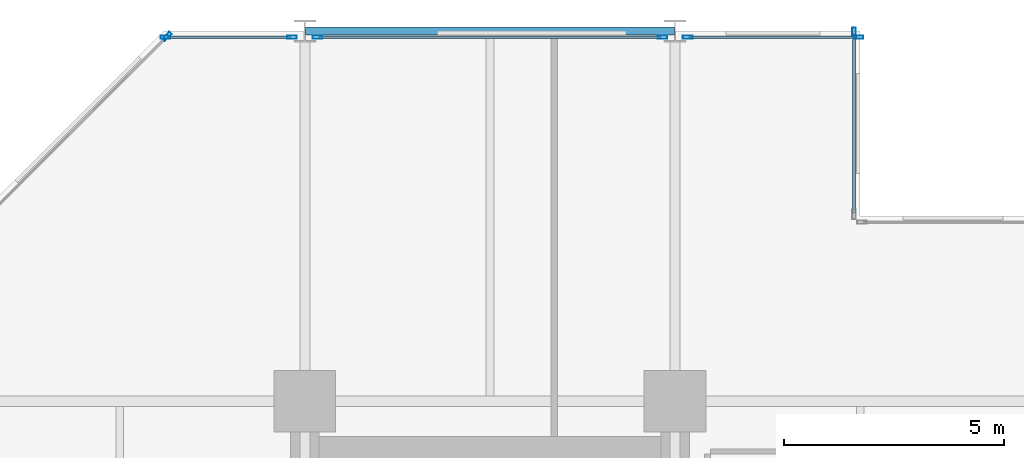
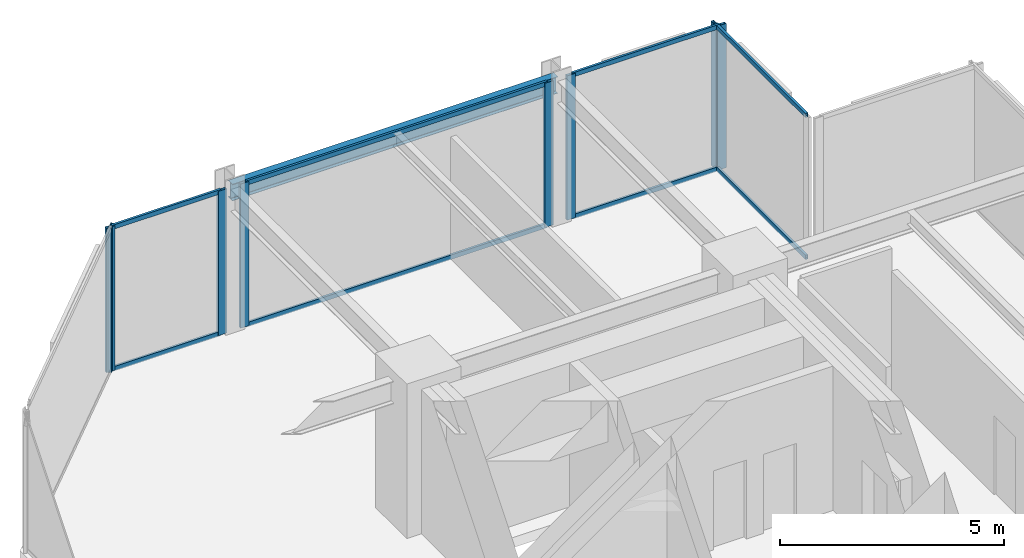
# One storey, part 17 of 24: 16 members, 1 beam, 5 elements without a shape of their own.
"""IFC4 building model written with IfcOpenShell, lengths in metres."""

import ifcopenshell
import ifcopenshell.guid

model = None  # the IFC model being written
_history = None  # IfcOwnerHistory: only IFC2X3 demands one
_inside = {}  # id of a spatial element -> (the spatial element, [elements in it])
_under = {}  # id of a project, library or spatial element -> (it, [spatial elements below it])
_declared = {}  # id of a project -> (the project, [libraries it declares])
_typed = {}  # id of a type object -> (the type object, [elements of that type])
_made_of = {}  # id of a material, layer set ... -> (it, [elements and type objects made of it])


def new_model(schema):
    """Start an empty IFC model of exactly this schema.

    Asked for "IFC4X3", IfcOpenShell would pick the latest addendum, in which some entities
    have other attributes; the version numbers below select the first issue.
    IFC2X3 requires an IfcOwnerHistory on every rooted entity: one is made here for all.
    """
    global model, _history
    if schema == "IFC4X3":
        model = ifcopenshell.file(schema_version=(4, 3, 0, 0))
    else:
        model = ifcopenshell.file(schema=schema)
    _inside.clear()
    _under.clear()
    _declared.clear()
    _typed.clear()
    _made_of.clear()
    _history = None
    if model.schema == "IFC2X3":
        org = make("IfcOrganization", Name="unknown")
        user = make(
            "IfcPersonAndOrganization",
            ThePerson=make("IfcPerson", FamilyName="unknown"),
            TheOrganization=org,
        )
        app = make(
            "IfcApplication",
            ApplicationDeveloper=org,
            Version="unknown",
            ApplicationFullName="unknown",
            ApplicationIdentifier="unknown",
        )
        _history = make(
            "IfcOwnerHistory",
            OwningUser=user,
            OwningApplication=app,
            ChangeAction="ADDED",
            CreationDate=0,
        )
    return model


def make(cls, **values):
    """One entity of the class cls with the attributes given. An attribute that is None is left unset."""
    return model.create_entity(
        cls, **{name: value for name, value in values.items() if value is not None}
    )


def rooted(cls, **values):
    """An entity with a GlobalId (a new one), such as an element, a storey or a relation."""
    return make(cls, GlobalId=ifcopenshell.guid.new(), OwnerHistory=_history, **values)


def si_unit(unit_type, name, prefix=None):
    """IfcSIUnit, for example si_unit("LENGTHUNIT", "METRE", prefix="MILLI")."""
    return make("IfcSIUnit", UnitType=unit_type, Prefix=prefix, Name=name)


def assignment(units):
    """IfcUnitAssignment: the units of a project."""
    return None if units is None else make("IfcUnitAssignment", Units=units)


def point(xyz):
    """IfcCartesianPoint."""
    return None if xyz is None else make("IfcCartesianPoint", Coordinates=xyz)


def direction(xyz):
    """IfcDirection."""
    return None if xyz is None else make("IfcDirection", DirectionRatios=xyz)


def frame(location, z_axis=None, x_axis=None):
    """IfcAxis2Placement3D, a coordinate frame: its origin and axes. An axis left out is left unset."""
    return make(
        "IfcAxis2Placement3D",
        Location=point(location),
        Axis=direction(z_axis),
        RefDirection=direction(x_axis),
    )


def frame_2d(location, x_axis=None):
    """IfcAxis2Placement2D, a coordinate frame in the plane: its origin and x axis."""
    return make(
        "IfcAxis2Placement2D", Location=point(location), RefDirection=direction(x_axis)
    )


def origin():
    """The frame at (0, 0, 0) with its axes left unset."""
    return frame((0.0, 0.0, 0.0))


def origin_2d():
    """The frame at (0, 0) in the plane with its x axis left unset."""
    return frame_2d((0.0, 0.0))


def place(relative_to, where):
    """IfcLocalPlacement: puts the frame where relative to a parent placement (None: the world)."""
    return make(
        "IfcLocalPlacement", PlacementRelTo=relative_to, RelativePlacement=where
    )


def context(
    kind, dimensions, precision=None, world=None, true_north=None, identifier=None
):
    """IfcGeometricRepresentationContext, for example the 3D "Model" context."""
    return make(
        "IfcGeometricRepresentationContext",
        ContextIdentifier=identifier,
        ContextType=kind,
        CoordinateSpaceDimension=dimensions,
        Precision=precision,
        WorldCoordinateSystem=world,
        TrueNorth=true_north,
    )


def subcontext(parent, identifier, kind, view, scale=None):
    """IfcGeometricRepresentationSubContext, for example "Body" below "Model"."""
    return make(
        "IfcGeometricRepresentationSubContext",
        ContextIdentifier=identifier,
        ContextType=kind,
        ParentContext=parent,
        TargetScale=scale,
        TargetView=view,
    )


def project(units=None, contexts=None):
    """IfcProject with its units and contexts."""
    return rooted(
        "IfcProject",
        Name="project",
        RepresentationContexts=contexts,
        UnitsInContext=assignment(units),
    )


def spatial(cls, under=None, at=None, **own):
    """A site, building, storey or space (cls), placed at a placement, below another one or the project."""
    s = rooted(cls, ObjectPlacement=at, **own)
    if under is not None:
        _under.setdefault(under.id(), (under, []))[1].append(s)
    return s


def profile(cls, at=None, kind="AREA", **sizes):
    """A parametric profile (cls). Its sizes go by their IFC names, for example OverallWidth=200.0."""
    return make(cls, ProfileType=kind, Position=at, **sizes)


def hollow_rectangle(**sizes):
    """IfcRectangleHollowProfileDef."""
    return profile("IfcRectangleHollowProfileDef", **sizes)


def i_section(**sizes):
    """IfcIShapeProfileDef."""
    return profile("IfcIShapeProfileDef", **sizes)


def extrude(swept, where, along, depth):
    """IfcExtrudedAreaSolid: the profile swept, set in the frame where, extruded along a direction by depth."""
    return make(
        "IfcExtrudedAreaSolid",
        SweptArea=swept,
        Position=where,
        ExtrudedDirection=direction(along),
        Depth=depth,
    )


def shape(context_of_items, identifier, shape_type, items):
    """IfcShapeRepresentation: the items that make up one representation, for example the "Body"."""
    return make(
        "IfcShapeRepresentation",
        ContextOfItems=context_of_items,
        RepresentationIdentifier=identifier,
        RepresentationType=shape_type,
        Items=items,
    )


def material(Name=None, Category=None):
    """IfcMaterial."""
    return make("IfcMaterial", Name=Name, Category=Category)


def layer(
    of_material, thickness, ventilated=None, Name=None, Category=None, Priority=None
):
    """IfcMaterialLayer: one layer of a wall or slab, of a material (None: an air gap)."""
    return make(
        "IfcMaterialLayer",
        Material=of_material,
        LayerThickness=thickness,
        IsVentilated=ventilated,
        Name=Name,
        Category=Category,
        Priority=Priority,
    )


def layer_set(layers, Name=None):
    """IfcMaterialLayerSet."""
    return make("IfcMaterialLayerSet", MaterialLayers=layers, LayerSetName=Name)


def material_profile(
    of_material, cross_section, Name=None, Category=None, Priority=None
):
    """IfcMaterialProfile: a cross section and its material."""
    return make(
        "IfcMaterialProfile",
        Name=Name,
        Material=of_material,
        Profile=cross_section,
        Priority=Priority,
        Category=Category,
    )


def profile_set(profiles, Name=None, composite=None):
    """IfcMaterialProfileSet."""
    return make(
        "IfcMaterialProfileSet",
        Name=Name,
        MaterialProfiles=profiles,
        CompositeProfile=composite,
    )


def made_of(thing, what):
    """Note that an element or type object is made of a material, layer set ...; save() writes the relation."""
    if what is not None:
        _made_of.setdefault(what.id(), (what, []))[1].append(thing)
    return thing


def type_object(cls, material=None, **own):
    """A type object (cls), such as IfcWallType, which elements share."""
    return made_of(rooted(cls, **own), material)


def element(
    cls,
    number,
    at=None,
    inside=None,
    cuts=None,
    type_object=None,
    material=None,
    context=None,
    identifier="Body",
    shape_type=None,
    held_by="IfcProductDefinitionShape",
    body=None,
    shapes=None,
    **own,
):
    """One element of the class cls, such as IfcWall. Its Tag is "e" and its number.

    at: its placement. inside: the storey or other place that contains it. cuts: it is an
    opening in that element (IfcRelVoidsElement). A single representation is given by context,
    identifier, shape_type and body (its items); several are given by shapes. held_by: the class
    of the entity that holds the representations. save() writes the other relations.
    """
    e = rooted(cls, Tag="e%d" % number, ObjectPlacement=at, **own)
    if body is not None:
        shapes = [shape(context, identifier, shape_type, body)]
    if shapes is not None:
        e.Representation = make(held_by, Representations=shapes)
    if inside is not None:
        _inside.setdefault(inside.id(), (inside, []))[1].append(e)
    if cuts is not None:
        rooted(
            "IfcRelVoidsElement", RelatingBuildingElement=cuts, RelatedOpeningElement=e
        )
    if type_object is not None:
        _typed.setdefault(type_object.id(), (type_object, []))[1].append(e)
    return made_of(e, material)


def aggregate(whole, parts):
    """IfcRelAggregates: a whole, such as a stair, and the parts it consists of."""
    return rooted("IfcRelAggregates", RelatingObject=whole, RelatedObjects=parts)


def save(model, path):
    """Write the relations noted so far, then the file.

    IfcRelAggregates (storeys below a building ...), IfcRelContainedInSpatialStructure (elements
    in a storey), IfcRelDefinesByType, IfcRelAssociatesMaterial and IfcRelDeclares: one each for
    every whole, place, type object, material and project.
    """
    for whole, parts in _under.values():
        aggregate(whole, parts)
    for where, things in _inside.values():
        rooted(
            "IfcRelContainedInSpatialStructure",
            RelatedElements=things,
            RelatingStructure=where,
        )
    for kind, things in _typed.values():
        rooted("IfcRelDefinesByType", RelatedObjects=things, RelatingType=kind)
    for what, things in _made_of.values():
        rooted("IfcRelAssociatesMaterial", RelatedObjects=things, RelatingMaterial=what)
    for by, libraries in _declared.values():
        rooted("IfcRelDeclares", RelatingContext=by, RelatedDefinitions=libraries)
    model.write(path)


model = new_model("IFC4")

# Units and contexts
model_context = context("Model", 3, precision=1e-05, world=origin(), true_north=direction((0.0, 1.0)))
body_context = subcontext(model_context, "Body", "Model", "MODEL_VIEW")
ifc_project = project(units=[si_unit("LENGTHUNIT", "METRE"), si_unit("AREAUNIT", "SQUARE_METRE"), si_unit("VOLUMEUNIT", "CUBIC_METRE"), si_unit("PLANEANGLEUNIT", "RADIAN"), si_unit("MASSUNIT", "GRAM", prefix="KILO")], contexts=[model_context])

# Site, building, storey
site_placement = place(None, origin())
site = spatial("IfcSite", under=ifc_project, at=site_placement, CompositionType="ELEMENT")
building_placement = place(site_placement, origin())
building = spatial("IfcBuilding", under=site, at=building_placement, Name="Nerrivon Quay Data Exchange", CompositionType="ELEMENT")
storey_placement = place(building_placement, frame((0.0, 0.0, 50.0)))
storey = spatial("IfcBuildingStorey", under=building, at=storey_placement, Name="L11", CompositionType="ELEMENT", Elevation=50.0)

# Beam
ifc_material_1 = material(Name="Steel Grade 350", Category="steel")
ifc_material_profile_1 = material_profile(ifc_material_1, i_section(OverallWidth=0.18994140625, OverallDepth=0.4541015625, WebThickness=0.008544921875, FlangeThickness=0.0126953125, FilletRadius=0.011474609375, at=origin_2d()), Name="460UB67.1")
ifc_profile_set_1 = profile_set([ifc_material_profile_1], Name="Steel Grade 350")
beam_type = type_object("IfcBeamType", Name="BM-SP1-460UB67", PredefinedType="SPANDREL", material=ifc_profile_set_1)
beam_placement = place(storey_placement, frame((8.4140625, 50.39990234375, 3.697998046875), z_axis=(1.0, 0.0, 0.0), x_axis=(0.0, 1.0, 0.0)))
element("IfcBeam", 1, at=beam_placement, inside=storey, type_object=beam_type, Name="L11 EW Girder Y=50.4 (8.4..16.8)", PredefinedType="SPANDREL", context=body_context, shape_type="SweptSolid", body=[
    extrude(i_section(OverallWidth=0.18994140625, OverallDepth=0.4541015625, WebThickness=0.008544921875, FlangeThickness=0.0126953125, FilletRadius=0.011474609375, at=origin_2d()), origin(), (0.0, 0.0, 1.0), 8.371826171875),
])

# Curtain wall, member
ifc_material_2 = material(Name="Anodised aluminium 6063-T6", Category="aluminium")
ifc_layer = layer(ifc_material_2, 0.219970703125)
ifc_layer_set = layer_set([ifc_layer], Name="Anodised aluminium 6063-T6")
curtain_wall_type = type_object("IfcCurtainWallType", Name="CW-SYS-01", PredefinedType="NOTDEFINED", material=ifc_layer_set)
curtain_wall_1_placement = place(storey_placement, origin())
curtain_wall_1 = element("IfcCurtainWall", 2, at=curtain_wall_1_placement, inside=storey, type_object=curtain_wall_type, Name="L11 Unitised Curtain Wall 19", PredefinedType="NOTDEFINED")
ifc_material_profile_2 = material_profile(ifc_material_2, hollow_rectangle(XDim=0.074951171875, YDim=0.219970703125, WallThickness=0.00390625, at=origin_2d()), Name="ALU-MULL-220x75")
ifc_profile_set_2 = profile_set([ifc_material_profile_2], Name="Anodised aluminium 6063-T6")
member_type_1 = type_object("IfcMemberType", Name="CWM-220x75", PredefinedType="MULLION", material=ifc_profile_set_2)
member_1_placement = place(storey_placement, frame((5.2724609375, 50.2744140625, 0.0), z_axis=(0.0, 0.0, 1.0), x_axis=(-0.707106781187, 0.707106781187, 0.0)))
member_1 = element("IfcMember", 3, at=member_1_placement, type_object=member_type_1, Name="CW01 mullion 2", PredefinedType="MULLION", context=body_context, shape_type="SweptSolid", body=[
    extrude(hollow_rectangle(XDim=0.074951171875, YDim=0.219970703125, WallThickness=0.00390625, at=origin_2d()), origin(), (0.0, 0.0, 1.0), 3.925048828125),
])
aggregate(curtain_wall_1, [member_1])

# Curtain wall, members
curtain_wall_2_placement = place(storey_placement, origin())
curtain_wall_2 = element("IfcCurtainWall", 4, at=curtain_wall_2_placement, inside=storey, type_object=curtain_wall_type, Name="L11 Unitised Curtain Wall 20", PredefinedType="NOTDEFINED")
member_2_placement = place(storey_placement, frame((5.237548828125, 50.260009765625, 0.0), z_axis=(0.0, 0.0, 1.0), x_axis=(0.0, 1.0, 0.0)))
member_2 = element("IfcMember", 5, at=member_2_placement, type_object=member_type_1, Name="CW01 mullion 1", PredefinedType="MULLION", context=body_context, shape_type="SweptSolid", body=[
    extrude(hollow_rectangle(XDim=0.074951171875, YDim=0.219970703125, WallThickness=0.00390625, at=origin_2d()), origin(), (0.0, 0.0, 1.0), 3.925048828125),
])
member_3_placement = place(storey_placement, frame((8.112548828125, 50.260009765625, 0.0), z_axis=(0.0, 0.0, 1.0), x_axis=(0.0, 1.0, 0.0)))
member_3 = element("IfcMember", 6, at=member_3_placement, type_object=member_type_1, Name="CW01 mullion 2", PredefinedType="MULLION", context=body_context, shape_type="SweptSolid", body=[
    extrude(hollow_rectangle(XDim=0.074951171875, YDim=0.219970703125, WallThickness=0.00390625, at=origin_2d()), origin(), (0.0, 0.0, 1.0), 3.925048828125),
])

curtain_wall_3_placement = place(storey_placement, origin())
curtain_wall_3 = element("IfcCurtainWall", 7, at=curtain_wall_3_placement, inside=storey, type_object=curtain_wall_type, Name="L11 Unitised Curtain Wall 21", PredefinedType="NOTDEFINED")
member_4_placement = place(storey_placement, frame((8.6875, 50.260009765625, 0.0), z_axis=(0.0, 0.0, 1.0), x_axis=(0.0, 1.0, 0.0)))
member_4 = element("IfcMember", 8, at=member_4_placement, type_object=member_type_1, Name="CW01 mullion 1", PredefinedType="MULLION", context=body_context, shape_type="SweptSolid", body=[
    extrude(hollow_rectangle(XDim=0.074951171875, YDim=0.219970703125, WallThickness=0.00390625, at=origin_2d()), origin(), (0.0, 0.0, 1.0), 3.925048828125),
])
member_5_placement = place(storey_placement, frame((16.512451171875, 50.260009765625, 0.0), z_axis=(0.0, 0.0, 1.0), x_axis=(0.0, 1.0, 0.0)))
member_5 = element("IfcMember", 9, at=member_5_placement, type_object=member_type_1, Name="CW01 mullion 2", PredefinedType="MULLION", context=body_context, shape_type="SweptSolid", body=[
    extrude(hollow_rectangle(XDim=0.074951171875, YDim=0.219970703125, WallThickness=0.00390625, at=origin_2d()), origin(), (0.0, 0.0, 1.0), 3.925048828125),
])

curtain_wall_4_placement = place(storey_placement, origin())
curtain_wall_4 = element("IfcCurtainWall", 10, at=curtain_wall_4_placement, inside=storey, type_object=curtain_wall_type, Name="L11 Unitised Curtain Wall 22", PredefinedType="NOTDEFINED")
member_6_placement = place(storey_placement, frame((17.08740234375, 50.260009765625, 0.0), z_axis=(0.0, 0.0, 1.0), x_axis=(0.0, 1.0, 0.0)))
member_6 = element("IfcMember", 11, at=member_6_placement, type_object=member_type_1, Name="CW01 mullion 1", PredefinedType="MULLION", context=body_context, shape_type="SweptSolid", body=[
    extrude(hollow_rectangle(XDim=0.074951171875, YDim=0.219970703125, WallThickness=0.00390625, at=origin_2d()), origin(), (0.0, 0.0, 1.0), 3.925048828125),
])
member_7_placement = place(storey_placement, frame((20.96240234375, 50.260009765625, 0.0), z_axis=(0.0, 0.0, 1.0), x_axis=(0.0, 1.0, 0.0)))
member_7 = element("IfcMember", 12, at=member_7_placement, type_object=member_type_1, Name="CW01 mullion 2", PredefinedType="MULLION", context=body_context, shape_type="SweptSolid", body=[
    extrude(hollow_rectangle(XDim=0.074951171875, YDim=0.219970703125, WallThickness=0.00390625, at=origin_2d()), origin(), (0.0, 0.0, 1.0), 3.925048828125),
])

# Curtain wall, member
curtain_wall_5_placement = place(storey_placement, origin())
curtain_wall_5 = element("IfcCurtainWall", 13, at=curtain_wall_5_placement, inside=storey, type_object=curtain_wall_type, Name="L11 Unitised Curtain Wall 23", PredefinedType="NOTDEFINED")
member_8_placement = place(storey_placement, frame((20.860107421875, 50.362548828125, 0.0), z_axis=(0.0, 0.0, 1.0), x_axis=(1.0, 0.0, 0.0)))
member_8 = element("IfcMember", 14, at=member_8_placement, type_object=member_type_1, Name="CW01 mullion 1", PredefinedType="MULLION", context=body_context, shape_type="SweptSolid", body=[
    extrude(hollow_rectangle(XDim=0.074951171875, YDim=0.219970703125, WallThickness=0.00390625, at=origin_2d()), origin(), (0.0, 0.0, 1.0), 3.925048828125),
])

# Member
ifc_material_profile_3 = material_profile(ifc_material_2, hollow_rectangle(XDim=0.06005859375, YDim=0.1201171875, WallThickness=0.003173828125, at=origin_2d()), Name="ALU-TRAN-120x60")
ifc_profile_set_3 = profile_set([ifc_material_profile_3], Name="Anodised aluminium 6063-T6")
member_type_2 = type_object("IfcMemberType", Name="CWT-120x60", PredefinedType="USERDEFINED", material=ifc_profile_set_3)
member_9_placement = place(storey_placement, frame((5.27490234375, 50.260009765625, 0.032470703125), z_axis=(1.0, 0.0, 0.0), x_axis=(0.0, 1.0, 0.0)))
member_9 = element("IfcMember", 15, at=member_9_placement, type_object=member_type_2, Name="CW01 transom 1.1", ObjectType="TRANSOM", PredefinedType="USERDEFINED", context=body_context, shape_type="SweptSolid", body=[
    extrude(hollow_rectangle(XDim=0.06005859375, YDim=0.1201171875, WallThickness=0.003173828125, at=origin_2d()), origin(), (0.0, 0.0, 1.0), 2.800048828125),
])

member_10_placement = place(storey_placement, frame((5.27490234375, 50.260009765625, 3.892578125), z_axis=(1.0, 0.0, 0.0), x_axis=(0.0, 1.0, 0.0)))
member_10 = element("IfcMember", 16, at=member_10_placement, type_object=member_type_2, Name="CW01 transom 1.2", ObjectType="TRANSOM", PredefinedType="USERDEFINED", context=body_context, shape_type="SweptSolid", body=[
    extrude(hollow_rectangle(XDim=0.06005859375, YDim=0.1201171875, WallThickness=0.003173828125, at=origin_2d()), origin(), (0.0, 0.0, 1.0), 2.800048828125),
])

aggregate(curtain_wall_2, [member_2, member_3, member_9, member_10])

member_11_placement = place(storey_placement, frame((8.72509765625, 50.260009765625, 0.032470703125), z_axis=(1.0, 0.0, 0.0), x_axis=(0.0, 1.0, 0.0)))
member_11 = element("IfcMember", 17, at=member_11_placement, type_object=member_type_2, Name="CW01 transom 1.1", ObjectType="TRANSOM", PredefinedType="USERDEFINED", context=body_context, shape_type="SweptSolid", body=[
    extrude(hollow_rectangle(XDim=0.06005859375, YDim=0.1201171875, WallThickness=0.003173828125, at=origin_2d()), origin(), (0.0, 0.0, 1.0), 7.75),
])

member_12_placement = place(storey_placement, frame((8.72509765625, 50.260009765625, 3.892578125), z_axis=(1.0, 0.0, 0.0), x_axis=(0.0, 1.0, 0.0)))
member_12 = element("IfcMember", 18, at=member_12_placement, type_object=member_type_2, Name="CW01 transom 1.2", ObjectType="TRANSOM", PredefinedType="USERDEFINED", context=body_context, shape_type="SweptSolid", body=[
    extrude(hollow_rectangle(XDim=0.06005859375, YDim=0.1201171875, WallThickness=0.003173828125, at=origin_2d()), origin(), (0.0, 0.0, 1.0), 7.75),
])

aggregate(curtain_wall_3, [member_4, member_5, member_11, member_12])

member_13_placement = place(storey_placement, frame((17.125, 50.260009765625, 0.032470703125), z_axis=(1.0, 0.0, 0.0), x_axis=(0.0, 1.0, 0.0)))
member_13 = element("IfcMember", 19, at=member_13_placement, type_object=member_type_2, Name="CW01 transom 1.1", ObjectType="TRANSOM", PredefinedType="USERDEFINED", context=body_context, shape_type="SweptSolid", body=[
    extrude(hollow_rectangle(XDim=0.06005859375, YDim=0.1201171875, WallThickness=0.003173828125, at=origin_2d()), origin(), (0.0, 0.0, 1.0), 3.800048828125),
])

member_14_placement = place(storey_placement, frame((17.125, 50.260009765625, 3.892578125), z_axis=(1.0, 0.0, 0.0), x_axis=(0.0, 1.0, 0.0)))
member_14 = element("IfcMember", 20, at=member_14_placement, type_object=member_type_2, Name="CW01 transom 1.2", ObjectType="TRANSOM", PredefinedType="USERDEFINED", context=body_context, shape_type="SweptSolid", body=[
    extrude(hollow_rectangle(XDim=0.06005859375, YDim=0.1201171875, WallThickness=0.003173828125, at=origin_2d()), origin(), (0.0, 0.0, 1.0), 3.800048828125),
])

aggregate(curtain_wall_4, [member_6, member_7, member_13, member_14])

member_15_placement = place(storey_placement, frame((20.860107421875, 50.324951171875, 0.032470703125), z_axis=(0.0, -1.0, 0.0), x_axis=(1.0, 0.0, 0.0)))
member_15 = element("IfcMember", 21, at=member_15_placement, type_object=member_type_2, Name="CW01 transom 1.1", ObjectType="TRANSOM", PredefinedType="USERDEFINED", context=body_context, shape_type="SweptSolid", body=[
    extrude(hollow_rectangle(XDim=0.06005859375, YDim=0.1201171875, WallThickness=0.003173828125, at=origin_2d()), origin(), (0.0, 0.0, 1.0), 4.050048828125),
])

member_16_placement = place(storey_placement, frame((20.860107421875, 50.324951171875, 3.892578125), z_axis=(0.0, -1.0, 0.0), x_axis=(1.0, 0.0, 0.0)))
member_16 = element("IfcMember", 22, at=member_16_placement, type_object=member_type_2, Name="CW01 transom 1.2", ObjectType="TRANSOM", PredefinedType="USERDEFINED", context=body_context, shape_type="SweptSolid", body=[
    extrude(hollow_rectangle(XDim=0.06005859375, YDim=0.1201171875, WallThickness=0.003173828125, at=origin_2d()), origin(), (0.0, 0.0, 1.0), 4.050048828125),
])

aggregate(curtain_wall_5, [member_8, member_15, member_16])

save(model, "model.ifc")
